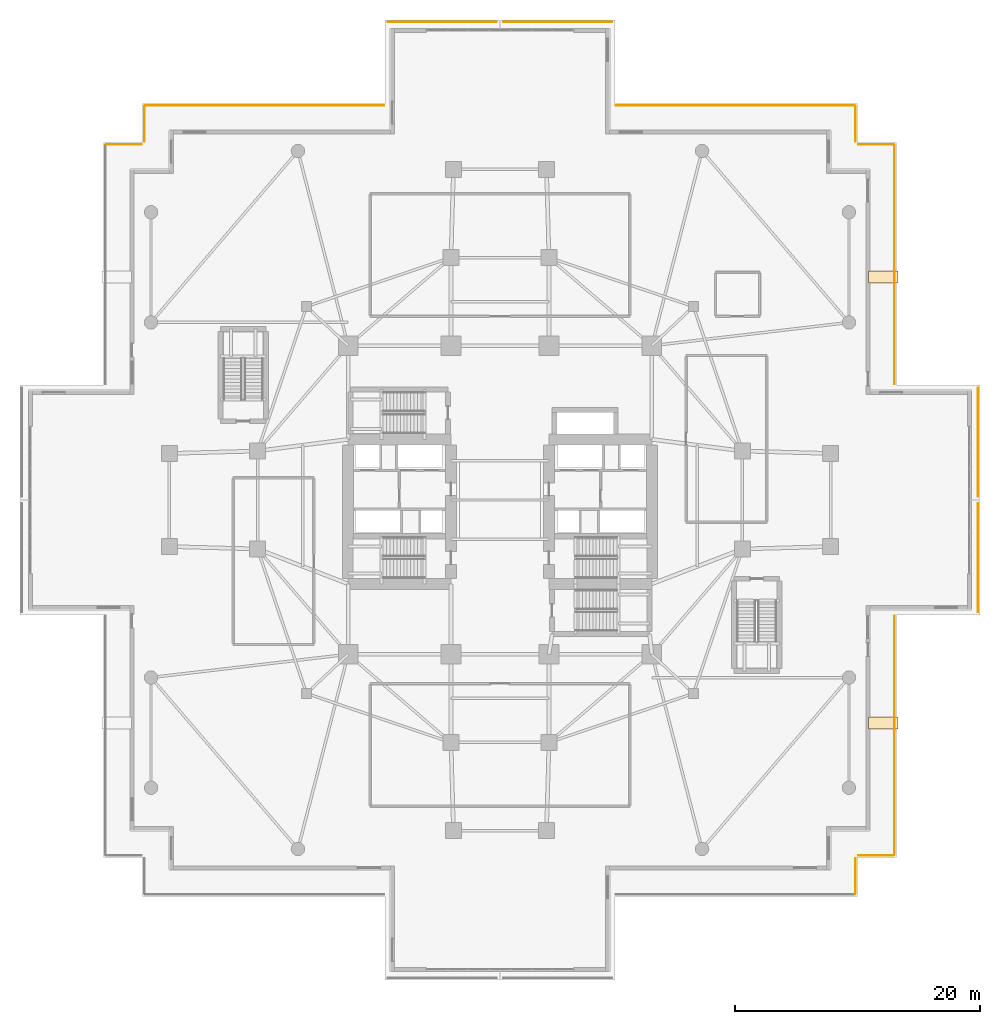
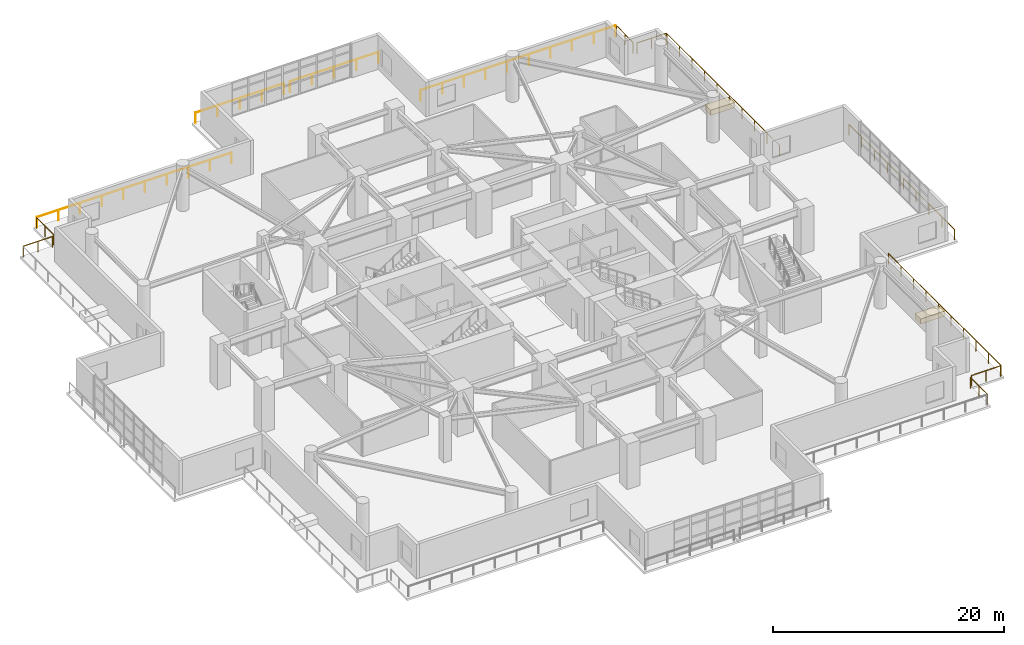
# One storey, part 23 of 23: 14 railings, 2 coverings.
"""IFC4 building model written with IfcOpenShell, lengths in metres."""

from ifc_helpers import new_model, si_unit, direction, frame, origin, origin_2d, place, context, subcontext, project, spatial, rectangle, circle, extrude, material, layer, layer_set, type_object, element, save


model = new_model("IFC4")

# Units and contexts
model_context = context("Model", 3, precision=1e-05, world=origin(), true_north=direction((0.0, 1.0)))
body_context = subcontext(model_context, "Body", "Model", "MODEL_VIEW")
ifc_project = project(units=[si_unit("LENGTHUNIT", "METRE"), si_unit("AREAUNIT", "SQUARE_METRE"), si_unit("VOLUMEUNIT", "CUBIC_METRE"), si_unit("PLANEANGLEUNIT", "RADIAN"), si_unit("MASSUNIT", "GRAM", prefix="KILO")], contexts=[model_context])

# Site, building, storey
site_placement = place(None, origin())
site = spatial("IfcSite", under=ifc_project, at=site_placement, CompositionType="ELEMENT")
building_placement = place(site_placement, origin())
building = spatial("IfcBuilding", under=site, at=building_placement, Name="Qingluan Cross Belvedere", CompositionType="ELEMENT")
storey_placement = place(building_placement, frame((0.0, 0.0, 5.39990234375)))
storey = spatial("IfcBuildingStorey", under=building, at=storey_placement, Name="L02", CompositionType="ELEMENT", Elevation=5.39990234375)

# Railings
ifc_material_1 = material(Name="Laminated glass and stainless steel balustrade", Category="steel")
railing_type = type_object("IfcRailingType", Name="TerraceGuardBalustrade_1150", PredefinedType="BALUSTRADE", material=ifc_material_1)
railing_1_placement = place(storey_placement, frame((0.2900390625, 39.02001953125, 0.0)))
element("IfcRailing", 1, at=railing_1_placement, inside=storey, type_object=railing_type, Name="Terrace guard L02-1", PredefinedType="BALUSTRADE", context=body_context, shape_type="SweptSolid", body=[
    extrude(circle(Radius=0.02392578125, at=origin_2d()), frame((0.0, 0.0, 1.1259765625), z_axis=(1.0, 0.0, 0.0), x_axis=(0.0, 1.0, 0.0)), (0.0, 0.0, 1.0), 8.869873046875),
    extrude(circle(Radius=0.02099609375, at=origin_2d()), origin(), (0.0, 0.0, 1.0), 1.101806640625),
    extrude(circle(Radius=0.02099609375, at=origin_2d()), frame((2.217529296875, 0.0, 0.0)), (0.0, 0.0, 1.0), 1.101806640625),
    extrude(circle(Radius=0.02099609375, at=origin_2d()), frame((4.43505859375, 0.0, 0.0)), (0.0, 0.0, 1.0), 1.101806640625),
    extrude(circle(Radius=0.02099609375, at=origin_2d()), frame((6.65234375, 0.0, 0.0)), (0.0, 0.0, 1.0), 1.101806640625),
    extrude(circle(Radius=0.02099609375, at=origin_2d()), frame((8.869873046875, 0.0, 0.0)), (0.0, 0.0, 1.0), 1.101806640625),
])
railing_2_placement = place(storey_placement, frame((9.4599609375, 32.219970703125, 0.0)))
element("IfcRailing", 2, at=railing_2_placement, inside=storey, type_object=railing_type, Name="Terrace guard L02-2", PredefinedType="BALUSTRADE", context=body_context, shape_type="SweptSolid", body=[
    extrude(circle(Radius=0.02392578125, at=origin_2d()), frame((0.0, 0.0, 1.1259765625), z_axis=(1.0, 0.0, 0.0), x_axis=(0.0, 1.0, 0.0)), (0.0, 0.0, 1.0), 19.5),
    extrude(circle(Radius=0.02099609375, at=origin_2d()), origin(), (0.0, 0.0, 1.0), 1.101806640625),
    extrude(circle(Radius=0.02099609375, at=origin_2d()), frame((2.166748046875, 0.0, 0.0)), (0.0, 0.0, 1.0), 1.101806640625),
    extrude(circle(Radius=0.02099609375, at=origin_2d()), frame((4.333251953125, 0.0, 0.0)), (0.0, 0.0, 1.0), 1.101806640625),
    extrude(circle(Radius=0.02099609375, at=origin_2d()), frame((6.5, 0.0, 0.0)), (0.0, 0.0, 1.0), 1.101806640625),
    extrude(circle(Radius=0.02099609375, at=origin_2d()), frame((8.666748046875, 0.0, 0.0)), (0.0, 0.0, 1.0), 1.101806640625),
    extrude(circle(Radius=0.02099609375, at=origin_2d()), frame((10.833251953125, 0.0, 0.0)), (0.0, 0.0, 1.0), 1.101806640625),
    extrude(circle(Radius=0.02099609375, at=origin_2d()), frame((13.0, 0.0, 0.0)), (0.0, 0.0, 1.0), 1.101806640625),
    extrude(circle(Radius=0.02099609375, at=origin_2d()), frame((15.166748046875, 0.0, 0.0)), (0.0, 0.0, 1.0), 1.101806640625),
    extrude(circle(Radius=0.02099609375, at=origin_2d()), frame((17.333251953125, 0.0, 0.0)), (0.0, 0.0, 1.0), 1.101806640625),
    extrude(circle(Radius=0.02099609375, at=origin_2d()), frame((19.5, 0.0, 0.0)), (0.0, 0.0, 1.0), 1.101806640625),
])
railing_3_placement = place(storey_placement, frame((29.02001953125, 32.159912109375, 0.0)))
element("IfcRailing", 3, at=railing_3_placement, inside=storey, type_object=railing_type, Name="Terrace guard L02-3", PredefinedType="BALUSTRADE", context=body_context, shape_type="SweptSolid", body=[
    extrude(circle(Radius=0.02392578125, at=origin_2d()), frame((0.0, 0.0, 1.1259765625), z_axis=(0.0, -1.0, 0.0), x_axis=(1.0, 0.0, 0.0)), (0.0, 0.0, 1.0), 2.89990234375),
    extrude(circle(Radius=0.02099609375, at=origin_2d()), origin(), (0.0, 0.0, 1.0), 1.101806640625),
    extrude(circle(Radius=0.02099609375, at=origin_2d()), frame((0.0, -1.449951171875, 0.0)), (0.0, 0.0, 1.0), 1.101806640625),
    extrude(circle(Radius=0.02099609375, at=origin_2d()), frame((0.0, -2.89990234375, 0.0)), (0.0, 0.0, 1.0), 1.101806640625),
])
railing_4_placement = place(storey_placement, frame((29.260009765625, 29.02001953125, 0.0)))
element("IfcRailing", 4, at=railing_4_placement, inside=storey, type_object=railing_type, Name="Terrace guard L02-4", PredefinedType="BALUSTRADE", context=body_context, shape_type="SweptSolid", body=[
    extrude(circle(Radius=0.02392578125, at=origin_2d()), frame((0.0, 0.0, 1.1259765625), z_axis=(1.0, 0.0, 0.0), x_axis=(0.0, 1.0, 0.0)), (0.0, 0.0, 1.0), 2.89990234375),
    extrude(circle(Radius=0.02099609375, at=origin_2d()), origin(), (0.0, 0.0, 1.0), 1.101806640625),
    extrude(circle(Radius=0.02099609375, at=origin_2d()), frame((1.449951171875, 0.0, 0.0)), (0.0, 0.0, 1.0), 1.101806640625),
    extrude(circle(Radius=0.02099609375, at=origin_2d()), frame((2.89990234375, 0.0, 0.0)), (0.0, 0.0, 1.0), 1.101806640625),
])
railing_5_placement = place(storey_placement, frame((32.219970703125, 28.9599609375, 0.0)))
element("IfcRailing", 5, at=railing_5_placement, inside=storey, type_object=railing_type, Name="Terrace guard L02-5", PredefinedType="BALUSTRADE", context=body_context, shape_type="SweptSolid", body=[
    extrude(circle(Radius=0.02392578125, at=origin_2d()), frame((0.0, 0.0, 1.1259765625), z_axis=(0.0, -1.0, 0.0), x_axis=(1.0, 0.0, 0.0)), (0.0, 0.0, 1.0), 19.5),
    extrude(circle(Radius=0.02099609375, at=origin_2d()), origin(), (0.0, 0.0, 1.0), 1.101806640625),
    extrude(circle(Radius=0.02099609375, at=origin_2d()), frame((0.0, -2.166748046875, 0.0)), (0.0, 0.0, 1.0), 1.101806640625),
    extrude(circle(Radius=0.02099609375, at=origin_2d()), frame((0.0, -4.333251953125, 0.0)), (0.0, 0.0, 1.0), 1.101806640625),
    extrude(circle(Radius=0.02099609375, at=origin_2d()), frame((0.0, -6.5, 0.0)), (0.0, 0.0, 1.0), 1.101806640625),
    extrude(circle(Radius=0.02099609375, at=origin_2d()), frame((0.0, -8.666748046875, 0.0)), (0.0, 0.0, 1.0), 1.101806640625),
    extrude(circle(Radius=0.02099609375, at=origin_2d()), frame((0.0, -10.833251953125, 0.0)), (0.0, 0.0, 1.0), 1.101806640625),
    extrude(circle(Radius=0.02099609375, at=origin_2d()), frame((0.0, -13.0, 0.0)), (0.0, 0.0, 1.0), 1.101806640625),
    extrude(circle(Radius=0.02099609375, at=origin_2d()), frame((0.0, -15.166748046875, 0.0)), (0.0, 0.0, 1.0), 1.101806640625),
    extrude(circle(Radius=0.02099609375, at=origin_2d()), frame((0.0, -17.333251953125, 0.0)), (0.0, 0.0, 1.0), 1.101806640625),
    extrude(circle(Radius=0.02099609375, at=origin_2d()), frame((0.0, -19.5, 0.0)), (0.0, 0.0, 1.0), 1.101806640625),
])
railing_6_placement = place(storey_placement, frame((39.02001953125, 9.159912109375, 0.0)))
element("IfcRailing", 6, at=railing_6_placement, inside=storey, type_object=railing_type, Name="Terrace guard L02-6", PredefinedType="BALUSTRADE", context=body_context, shape_type="SweptSolid", body=[
    extrude(circle(Radius=0.02392578125, at=origin_2d()), frame((0.0, 0.0, 1.1259765625), z_axis=(0.0, -1.0, 0.0), x_axis=(1.0, 0.0, 0.0)), (0.0, 0.0, 1.0), 8.869873046875),
    extrude(circle(Radius=0.02099609375, at=origin_2d()), origin(), (0.0, 0.0, 1.0), 1.101806640625),
    extrude(circle(Radius=0.02099609375, at=origin_2d()), frame((0.0, -2.217529296875, 0.0)), (0.0, 0.0, 1.0), 1.101806640625),
    extrude(circle(Radius=0.02099609375, at=origin_2d()), frame((0.0, -4.43505859375, 0.0)), (0.0, 0.0, 1.0), 1.101806640625),
    extrude(circle(Radius=0.02099609375, at=origin_2d()), frame((0.0, -6.65234375, 0.0)), (0.0, 0.0, 1.0), 1.101806640625),
    extrude(circle(Radius=0.02099609375, at=origin_2d()), frame((0.0, -8.869873046875, 0.0)), (0.0, 0.0, 1.0), 1.101806640625),
])
railing_7_placement = place(storey_placement, frame((-32.159912109375, 29.02001953125, 0.0)))
element("IfcRailing", 7, at=railing_7_placement, inside=storey, type_object=railing_type, Name="Terrace guard L02-3", PredefinedType="BALUSTRADE", context=body_context, shape_type="SweptSolid", body=[
    extrude(circle(Radius=0.02392578125, at=origin_2d()), frame((0.0, 0.0, 1.1259765625), z_axis=(1.0, 0.0, 0.0), x_axis=(0.0, 1.0, 0.0)), (0.0, 0.0, 1.0), 2.89990234375),
    extrude(circle(Radius=0.02099609375, at=origin_2d()), origin(), (0.0, 0.0, 1.0), 1.101806640625),
    extrude(circle(Radius=0.02099609375, at=origin_2d()), frame((1.449951171875, 0.0, 0.0)), (0.0, 0.0, 1.0), 1.101806640625),
    extrude(circle(Radius=0.02099609375, at=origin_2d()), frame((2.89990234375, 0.0, 0.0)), (0.0, 0.0, 1.0), 1.101806640625),
])
railing_8_placement = place(storey_placement, frame((-29.02001953125, 29.260009765625, 0.0)))
element("IfcRailing", 8, at=railing_8_placement, inside=storey, type_object=railing_type, Name="Terrace guard L02-4", PredefinedType="BALUSTRADE", context=body_context, shape_type="SweptSolid", body=[
    extrude(circle(Radius=0.02392578125, at=origin_2d()), frame((0.0, 0.0, 1.1259765625), z_axis=(0.0, 1.0, 0.0), x_axis=(-1.0, 0.0, 0.0)), (0.0, 0.0, 1.0), 2.89990234375),
    extrude(circle(Radius=0.02099609375, at=origin_2d()), origin(), (0.0, 0.0, 1.0), 1.101806640625),
    extrude(circle(Radius=0.02099609375, at=origin_2d()), frame((0.0, 1.449951171875, 0.0)), (0.0, 0.0, 1.0), 1.101806640625),
    extrude(circle(Radius=0.02099609375, at=origin_2d()), frame((0.0, 2.89990234375, 0.0)), (0.0, 0.0, 1.0), 1.101806640625),
])
railing_9_placement = place(storey_placement, frame((-28.9599609375, 32.219970703125, 0.0)))
element("IfcRailing", 9, at=railing_9_placement, inside=storey, type_object=railing_type, Name="Terrace guard L02-5", PredefinedType="BALUSTRADE", context=body_context, shape_type="SweptSolid", body=[
    extrude(circle(Radius=0.02392578125, at=origin_2d()), frame((0.0, 0.0, 1.1259765625), z_axis=(1.0, 0.0, 0.0), x_axis=(0.0, 1.0, 0.0)), (0.0, 0.0, 1.0), 19.5),
    extrude(circle(Radius=0.02099609375, at=origin_2d()), origin(), (0.0, 0.0, 1.0), 1.101806640625),
    extrude(circle(Radius=0.02099609375, at=origin_2d()), frame((2.166748046875, 0.0, 0.0)), (0.0, 0.0, 1.0), 1.101806640625),
    extrude(circle(Radius=0.02099609375, at=origin_2d()), frame((4.333251953125, 0.0, 0.0)), (0.0, 0.0, 1.0), 1.101806640625),
    extrude(circle(Radius=0.02099609375, at=origin_2d()), frame((6.5, 0.0, 0.0)), (0.0, 0.0, 1.0), 1.101806640625),
    extrude(circle(Radius=0.02099609375, at=origin_2d()), frame((8.666748046875, 0.0, 0.0)), (0.0, 0.0, 1.0), 1.101806640625),
    extrude(circle(Radius=0.02099609375, at=origin_2d()), frame((10.833251953125, 0.0, 0.0)), (0.0, 0.0, 1.0), 1.101806640625),
    extrude(circle(Radius=0.02099609375, at=origin_2d()), frame((13.0, 0.0, 0.0)), (0.0, 0.0, 1.0), 1.101806640625),
    extrude(circle(Radius=0.02099609375, at=origin_2d()), frame((15.166748046875, 0.0, 0.0)), (0.0, 0.0, 1.0), 1.101806640625),
    extrude(circle(Radius=0.02099609375, at=origin_2d()), frame((17.333251953125, 0.0, 0.0)), (0.0, 0.0, 1.0), 1.101806640625),
    extrude(circle(Radius=0.02099609375, at=origin_2d()), frame((19.5, 0.0, 0.0)), (0.0, 0.0, 1.0), 1.101806640625),
])
railing_10_placement = place(storey_placement, frame((-9.159912109375, 39.02001953125, 0.0)))
element("IfcRailing", 10, at=railing_10_placement, inside=storey, type_object=railing_type, Name="Terrace guard L02-6", PredefinedType="BALUSTRADE", context=body_context, shape_type="SweptSolid", body=[
    extrude(circle(Radius=0.02392578125, at=origin_2d()), frame((0.0, 0.0, 1.1259765625), z_axis=(1.0, 0.0, 0.0), x_axis=(0.0, 1.0, 0.0)), (0.0, 0.0, 1.0), 8.869873046875),
    extrude(circle(Radius=0.02099609375, at=origin_2d()), origin(), (0.0, 0.0, 1.0), 1.101806640625),
    extrude(circle(Radius=0.02099609375, at=origin_2d()), frame((2.217529296875, 0.0, 0.0)), (0.0, 0.0, 1.0), 1.101806640625),
    extrude(circle(Radius=0.02099609375, at=origin_2d()), frame((4.43505859375, 0.0, 0.0)), (0.0, 0.0, 1.0), 1.101806640625),
    extrude(circle(Radius=0.02099609375, at=origin_2d()), frame((6.65234375, 0.0, 0.0)), (0.0, 0.0, 1.0), 1.101806640625),
    extrude(circle(Radius=0.02099609375, at=origin_2d()), frame((8.869873046875, 0.0, 0.0)), (0.0, 0.0, 1.0), 1.101806640625),
])
railing_11_placement = place(storey_placement, frame((39.02001953125, -0.2900390625, 0.0)))
element("IfcRailing", 11, at=railing_11_placement, inside=storey, type_object=railing_type, Name="Terrace guard L02-2", PredefinedType="BALUSTRADE", context=body_context, shape_type="SweptSolid", body=[
    extrude(circle(Radius=0.02392578125, at=origin_2d()), frame((0.0, 0.0, 1.1259765625), z_axis=(0.0, -1.0, 0.0), x_axis=(1.0, 0.0, 0.0)), (0.0, 0.0, 1.0), 8.869873046875),
    extrude(circle(Radius=0.02099609375, at=origin_2d()), origin(), (0.0, 0.0, 1.0), 1.101806640625),
    extrude(circle(Radius=0.02099609375, at=origin_2d()), frame((0.0, -2.217529296875, 0.0)), (0.0, 0.0, 1.0), 1.101806640625),
    extrude(circle(Radius=0.02099609375, at=origin_2d()), frame((0.0, -4.43505859375, 0.0)), (0.0, 0.0, 1.0), 1.101806640625),
    extrude(circle(Radius=0.02099609375, at=origin_2d()), frame((0.0, -6.65234375, 0.0)), (0.0, 0.0, 1.0), 1.101806640625),
    extrude(circle(Radius=0.02099609375, at=origin_2d()), frame((0.0, -8.869873046875, 0.0)), (0.0, 0.0, 1.0), 1.101806640625),
])
railing_12_placement = place(storey_placement, frame((32.219970703125, -9.4599609375, 0.0)))
element("IfcRailing", 12, at=railing_12_placement, inside=storey, type_object=railing_type, Name="Terrace guard L02-3", PredefinedType="BALUSTRADE", context=body_context, shape_type="SweptSolid", body=[
    extrude(circle(Radius=0.02392578125, at=origin_2d()), frame((0.0, 0.0, 1.1259765625), z_axis=(0.0, -1.0, 0.0), x_axis=(1.0, 0.0, 0.0)), (0.0, 0.0, 1.0), 19.5),
    extrude(circle(Radius=0.02099609375, at=origin_2d()), origin(), (0.0, 0.0, 1.0), 1.101806640625),
    extrude(circle(Radius=0.02099609375, at=origin_2d()), frame((0.0, -2.166748046875, 0.0)), (0.0, 0.0, 1.0), 1.101806640625),
    extrude(circle(Radius=0.02099609375, at=origin_2d()), frame((0.0, -4.333251953125, 0.0)), (0.0, 0.0, 1.0), 1.101806640625),
    extrude(circle(Radius=0.02099609375, at=origin_2d()), frame((0.0, -6.5, 0.0)), (0.0, 0.0, 1.0), 1.101806640625),
    extrude(circle(Radius=0.02099609375, at=origin_2d()), frame((0.0, -8.666748046875, 0.0)), (0.0, 0.0, 1.0), 1.101806640625),
    extrude(circle(Radius=0.02099609375, at=origin_2d()), frame((0.0, -10.833251953125, 0.0)), (0.0, 0.0, 1.0), 1.101806640625),
    extrude(circle(Radius=0.02099609375, at=origin_2d()), frame((0.0, -13.0, 0.0)), (0.0, 0.0, 1.0), 1.101806640625),
    extrude(circle(Radius=0.02099609375, at=origin_2d()), frame((0.0, -15.166748046875, 0.0)), (0.0, 0.0, 1.0), 1.101806640625),
    extrude(circle(Radius=0.02099609375, at=origin_2d()), frame((0.0, -17.333251953125, 0.0)), (0.0, 0.0, 1.0), 1.101806640625),
    extrude(circle(Radius=0.02099609375, at=origin_2d()), frame((0.0, -19.5, 0.0)), (0.0, 0.0, 1.0), 1.101806640625),
])
railing_13_placement = place(storey_placement, frame((32.159912109375, -29.02001953125, 0.0)))
element("IfcRailing", 13, at=railing_13_placement, inside=storey, type_object=railing_type, Name="Terrace guard L02-4", PredefinedType="BALUSTRADE", context=body_context, shape_type="SweptSolid", body=[
    extrude(circle(Radius=0.02392578125, at=origin_2d()), frame((0.0, 0.0, 1.1259765625), z_axis=(-1.0, 0.0, 0.0), x_axis=(0.0, -1.0, 0.0)), (0.0, 0.0, 1.0), 2.89990234375),
    extrude(circle(Radius=0.02099609375, at=origin_2d()), origin(), (0.0, 0.0, 1.0), 1.101806640625),
    extrude(circle(Radius=0.02099609375, at=origin_2d()), frame((-1.449951171875, 0.0, 0.0)), (0.0, 0.0, 1.0), 1.101806640625),
    extrude(circle(Radius=0.02099609375, at=origin_2d()), frame((-2.89990234375, 0.0, 0.0)), (0.0, 0.0, 1.0), 1.101806640625),
])
railing_14_placement = place(storey_placement, frame((29.02001953125, -29.260009765625, 0.0)))
element("IfcRailing", 14, at=railing_14_placement, inside=storey, type_object=railing_type, Name="Terrace guard L02-5", PredefinedType="BALUSTRADE", context=body_context, shape_type="SweptSolid", body=[
    extrude(circle(Radius=0.02392578125, at=origin_2d()), frame((0.0, 0.0, 1.1259765625), z_axis=(0.0, -1.0, 0.0), x_axis=(1.0, 0.0, 0.0)), (0.0, 0.0, 1.0), 2.89990234375),
    extrude(circle(Radius=0.02099609375, at=origin_2d()), origin(), (0.0, 0.0, 1.0), 1.101806640625),
    extrude(circle(Radius=0.02099609375, at=origin_2d()), frame((0.0, -1.449951171875, 0.0)), (0.0, 0.0, 1.0), 1.101806640625),
    extrude(circle(Radius=0.02099609375, at=origin_2d()), frame((0.0, -2.89990234375, 0.0)), (0.0, 0.0, 1.0), 1.101806640625),
])

# Coverings
ifc_material_2 = material(Name="Precast concrete C40", Category="concrete")
ifc_layer = layer(ifc_material_2, 0.550048828125, Name="TerracePlanterBox")
ifc_layer_set = layer_set([ifc_layer], Name="Precast concrete C40")
covering_type = type_object("IfcCoveringType", Name="TerracePlanterBox", PredefinedType="USERDEFINED", material=ifc_layer_set)
for number, where, z_axis, x_axis, name in (
    (15, (31.31005859375, 18.201904296875, 0.0), (0.0, 0.0, 1.0), (1.0, 0.0, 0.0), "Cascading garden terrace planter L02-1"),
    (16, (31.31005859375, -18.201904296875, 0.0), (0.0, 0.0, 1.0), (1.0, 0.0, 0.0), "Cascading garden terrace planter L02-4"),
):
    element("IfcCovering", number, at=place(storey_placement, frame(where, z_axis=z_axis, x_axis=x_axis)), inside=storey, type_object=covering_type, Name=name, ObjectType="PLANTER", PredefinedType="USERDEFINED", context=body_context, shape_type="SweptSolid", body=[
        extrude(rectangle(XDim=2.39990234375, YDim=1.0, at=origin_2d()), origin(), (0.0, 0.0, 1.0), 0.550048828125),
    ])

save(model, "model.ifc")
